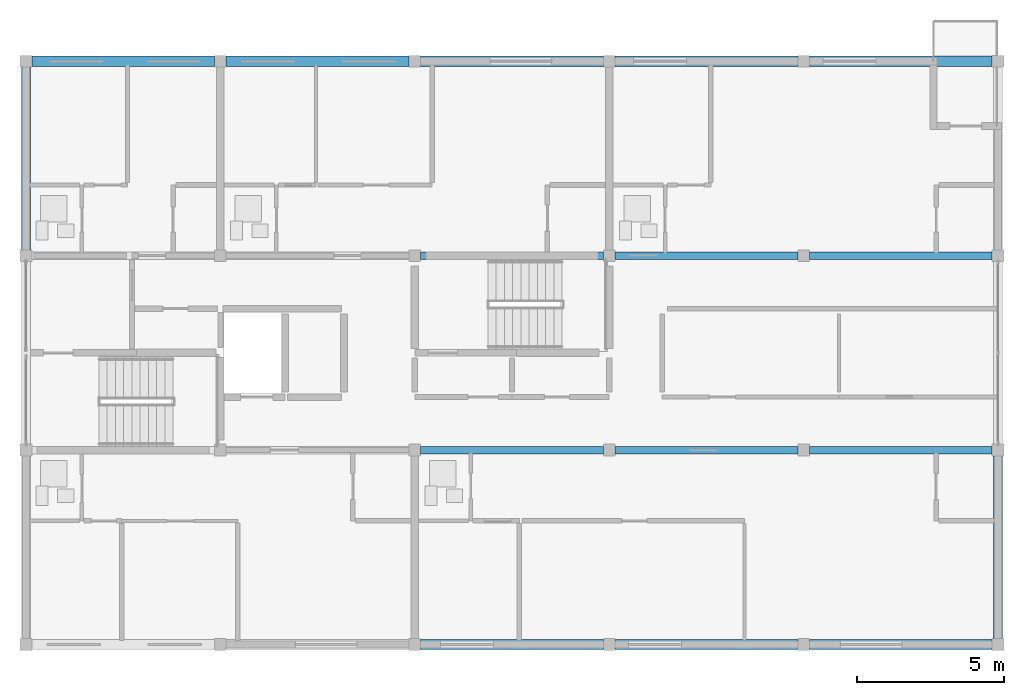
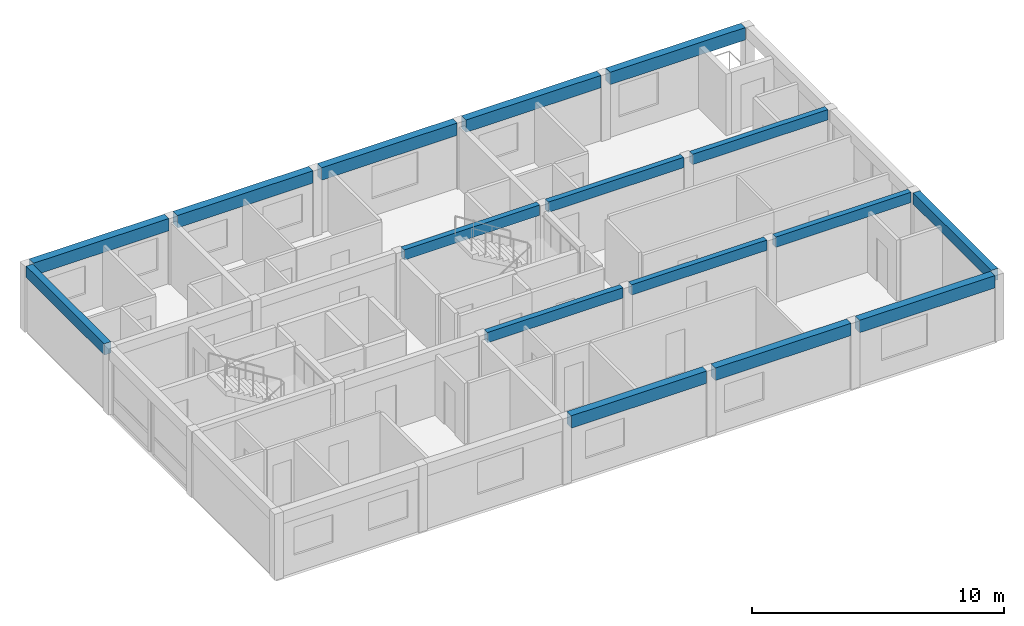
# One storey, part 5 of 12: 16 beams.
"""IFC4 building model written with IfcOpenShell, lengths in metres."""

from ifc_helpers import new_model, si_unit, direction, frame, origin, origin_2d, place, context, subcontext, project, spatial, rectangle, extrude, material, material_profile, profile_set, type_object, element, save


model = new_model("IFC4")

# Units and contexts
model_context = context("Model", 3, precision=1e-05, world=origin(), true_north=direction((0.0, 1.0)))
body_context = subcontext(model_context, "Body", "Model", "MODEL_VIEW")
ifc_project = project(units=[si_unit("LENGTHUNIT", "METRE"), si_unit("AREAUNIT", "SQUARE_METRE"), si_unit("VOLUMEUNIT", "CUBIC_METRE"), si_unit("PLANEANGLEUNIT", "RADIAN"), si_unit("MASSUNIT", "GRAM", prefix="KILO")], contexts=[model_context])

# Site, building, storey
site_placement = place(None, origin())
site = spatial("IfcSite", under=ifc_project, at=site_placement, CompositionType="ELEMENT")
building_placement = place(site_placement, origin())
building = spatial("IfcBuilding", under=site, at=building_placement, Name="Kernevlak Ridge Housing Community", CompositionType="ELEMENT")
storey_placement = place(building_placement, frame((0.0, 0.0, 53.199951171875)))
storey = spatial("IfcBuildingStorey", under=building, at=storey_placement, Name="L16", CompositionType="ELEMENT", Elevation=53.199951171875)

# Beams
ifc_material = material(Name="Concrete C35/45", Category="concrete")
ifc_material_profile_1 = material_profile(ifc_material, rectangle(XDim=0.25, YDim=0.5, at=origin_2d()), Name="RC 250x500")
ifc_profile_set_1 = profile_set([ifc_material_profile_1], Name="Concrete C35/45")
beam_type_1 = type_object("IfcBeamType", Name="B-06", PredefinedType="T_BEAM", material=ifc_profile_set_1)
for number, where, z_axis, x_axis, name in (
    (1, (29.0, 82.60009765625, 2.949951171875), (1.0, 0.0, 0.0), (0.0, 1.0, 0.0), "Beam B-06 L16 480"),
    (2, (35.60009765625, 82.60009765625, 2.949951171875), (1.0, 0.0, 0.0), (0.0, 1.0, 0.0), "Beam B-06 L16 481"),
    (3, (42.199951171875, 82.60009765625, 2.949951171875), (1.0, 0.0, 0.0), (0.0, 1.0, 0.0), "Beam B-06 L16 482"),
    (4, (29.0, 89.199951171875, 2.949951171875), (1.0, 0.0, 0.0), (0.0, 1.0, 0.0), "Beam B-06 L16 485"),
    (5, (35.60009765625, 89.199951171875, 2.949951171875), (1.0, 0.0, 0.0), (0.0, 1.0, 0.0), "Beam B-06 L16 486"),
    (6, (42.199951171875, 89.199951171875, 2.949951171875), (1.0, 0.0, 0.0), (0.0, 1.0, 0.0), "Beam B-06 L16 487"),
):
    element("IfcBeam", number, at=place(storey_placement, frame(where, z_axis=z_axis, x_axis=x_axis)), inside=storey, type_object=beam_type_1, Name=name, PredefinedType="T_BEAM", context=body_context, shape_type="SweptSolid", body=[
        extrude(rectangle(XDim=0.25, YDim=0.5, at=origin_2d()), origin(), (0.0, 0.0, 1.0), 6.199951171875),
    ])
ifc_material_profile_2 = material_profile(ifc_material, rectangle(XDim=0.300048828125, YDim=0.550048828125, at=origin_2d()), Name="RC 300x550")
ifc_profile_set_2 = profile_set([ifc_material_profile_2], Name="Concrete C35/45")
beam_type_2 = type_object("IfcBeamType", Name="SP-01", PredefinedType="SPANDREL", material=ifc_profile_set_2)
beam_1_placement = place(storey_placement, frame((15.60009765625, 89.39990234375, 2.925048828125), z_axis=(0.0, 1.0, 0.0), x_axis=(-1.0, 0.0, 0.0)))
element("IfcBeam", 7, at=beam_1_placement, inside=storey, type_object=beam_type_2, Name="Beam SP-01 L16 495", PredefinedType="SPANDREL", context=body_context, shape_type="SweptSolid", body=[
    extrude(rectangle(XDim=0.300048828125, YDim=0.550048828125, at=origin_2d()), origin(), (0.0, 0.0, 1.0), 6.2001953125),
])
beam_2_placement = place(storey_placement, frame((48.60009765625, 76.199951171875, 2.925048828125), z_axis=(0.0, 1.0, 0.0), x_axis=(-1.0, 0.0, 0.0)))
element("IfcBeam", 8, at=beam_2_placement, inside=storey, type_object=beam_type_2, Name="Beam SP-01 L16 496", PredefinedType="SPANDREL", context=body_context, shape_type="SweptSolid", body=[
    extrude(rectangle(XDim=0.300048828125, YDim=0.550048828125, at=origin_2d()), origin(), (0.0, 0.0, 1.0), 6.199951171875),
])
ifc_material_profile_3 = material_profile(ifc_material, rectangle(XDim=0.35009765625, YDim=0.60009765625, at=origin_2d()), Name="RC 350x600")
ifc_profile_set_3 = profile_set([ifc_material_profile_3], Name="Concrete C35/45")
beam_type_3 = type_object("IfcBeamType", Name="SP-03", PredefinedType="SPANDREL", material=ifc_profile_set_3)
for number, where, z_axis, x_axis, name in (
    (9, (29.0, 76.0, 2.900146484375), (1.0, 0.0, 0.0), (0.0, 1.0, 0.0), "Beam SP-03 L16 475"),
    (10, (35.60009765625, 76.0, 2.900146484375), (1.0, 0.0, 0.0), (0.0, 1.0, 0.0), "Beam SP-03 L16 476"),
    (11, (42.199951171875, 76.0, 2.900146484375), (1.0, 0.0, 0.0), (0.0, 1.0, 0.0), "Beam SP-03 L16 477"),
    (12, (15.800048828125, 95.800048828125, 2.900146484375), (1.0, 0.0, 0.0), (0.0, 1.0, 0.0), "Beam SP-03 L16 488"),
):
    element("IfcBeam", number, at=place(storey_placement, frame(where, z_axis=z_axis, x_axis=x_axis)), inside=storey, type_object=beam_type_3, Name=name, PredefinedType="SPANDREL", context=body_context, shape_type="SweptSolid", body=[
        extrude(rectangle(XDim=0.35009765625, YDim=0.60009765625, at=origin_2d()), origin(), (0.0, 0.0, 1.0), 6.199951171875),
    ])
beam_3_placement = place(storey_placement, frame((22.39990234375, 95.800048828125, 2.900146484375), z_axis=(1.0, 0.0, 0.0), x_axis=(0.0, 1.0, 0.0)))
element("IfcBeam", 13, at=beam_3_placement, inside=storey, type_object=beam_type_3, Name="Beam SP-03 L16 489", PredefinedType="SPANDREL", context=body_context, shape_type="SweptSolid", body=[
    extrude(rectangle(XDim=0.35009765625, YDim=0.60009765625, at=origin_2d()), origin(), (0.0, 0.0, 1.0), 6.2001953125),
])
for number, where, z_axis, x_axis, name in (
    (14, (29.0, 95.800048828125, 2.900146484375), (1.0, 0.0, 0.0), (0.0, 1.0, 0.0), "Beam SP-03 L16 490"),
    (15, (35.60009765625, 95.800048828125, 2.900146484375), (1.0, 0.0, 0.0), (0.0, 1.0, 0.0), "Beam SP-03 L16 491"),
    (16, (42.199951171875, 95.800048828125, 2.900146484375), (1.0, 0.0, 0.0), (0.0, 1.0, 0.0), "Beam SP-03 L16 492"),
):
    element("IfcBeam", number, at=place(storey_placement, frame(where, z_axis=z_axis, x_axis=x_axis)), inside=storey, type_object=beam_type_3, Name=name, PredefinedType="SPANDREL", context=body_context, shape_type="SweptSolid", body=[
        extrude(rectangle(XDim=0.35009765625, YDim=0.60009765625, at=origin_2d()), origin(), (0.0, 0.0, 1.0), 6.199951171875),
    ])

save(model, "model.ifc")
